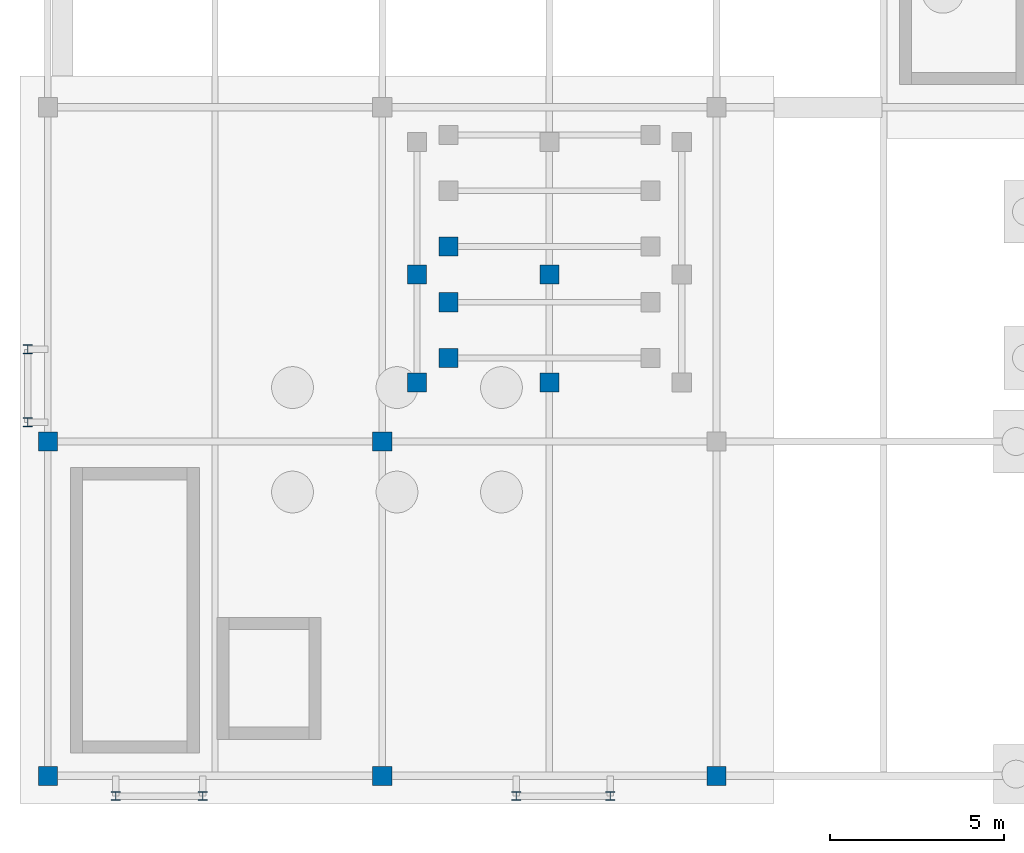
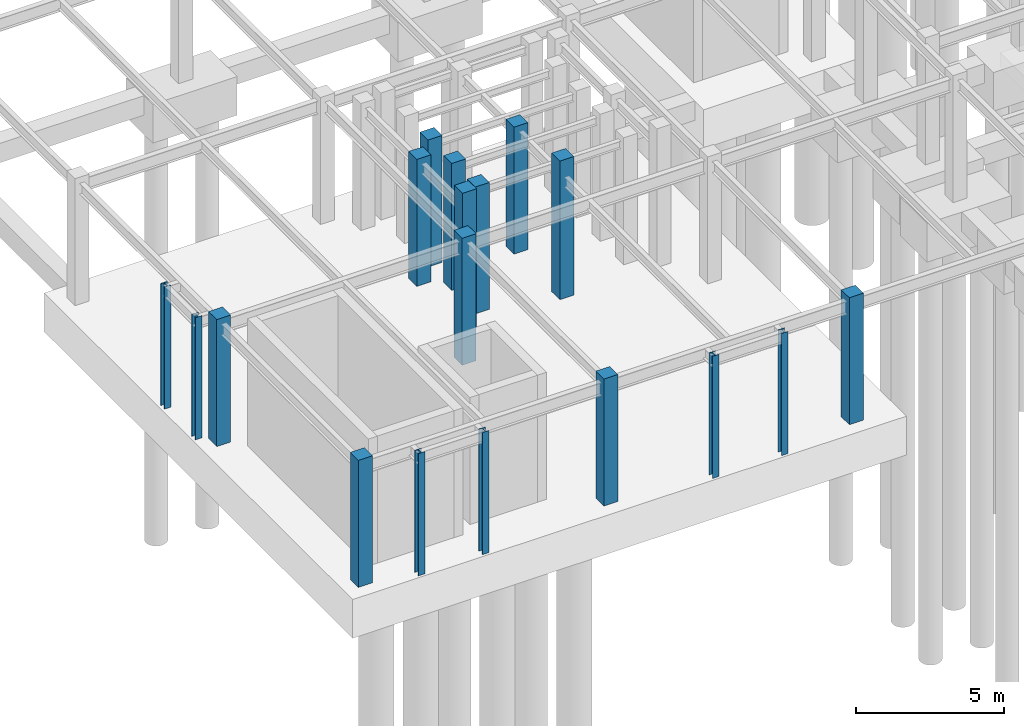
# One storey, part 8 of 55: 18 columns.
"""IFC4 building model written with IfcOpenShell, lengths in metres."""

from ifc_helpers import new_model, si_unit, direction, frame, origin, origin_2d, place, context, subcontext, project, spatial, rectangle, i_section, extrude, material, material_profile, profile_set, type_object, element, save


model = new_model("IFC4")

# Units and contexts
model_context = context("Model", 3, precision=1e-05, world=origin(), true_north=direction((0.0, 1.0)))
body_context = subcontext(model_context, "Body", "Model", "MODEL_VIEW")
ifc_project = project(units=[si_unit("LENGTHUNIT", "METRE"), si_unit("AREAUNIT", "SQUARE_METRE"), si_unit("VOLUMEUNIT", "CUBIC_METRE"), si_unit("PLANEANGLEUNIT", "RADIAN"), si_unit("MASSUNIT", "GRAM", prefix="KILO")], contexts=[model_context])

# Site, building, storey
site_placement = place(None, origin())
site = spatial("IfcSite", under=ifc_project, at=site_placement, CompositionType="ELEMENT")
building_placement = place(site_placement, origin())
building = spatial("IfcBuilding", under=site, at=building_placement, Name="Almandine Court Research Institute", CompositionType="ELEMENT")
storey_placement = place(building_placement, frame((0.0, 0.0, -5.25)))
storey = spatial("IfcBuildingStorey", under=building, at=storey_placement, Name="B1", CompositionType="ELEMENT", Elevation=-5.25)

# Columns
ifc_material_1 = material(Name="Concrete C40/50", Category="concrete")
ifc_material_profile_1 = material_profile(ifc_material_1, rectangle(XDim=0.550048828125, YDim=0.550048828125, at=origin_2d()), Name="RC 550x550")
ifc_profile_set_1 = profile_set([ifc_material_profile_1], Name="Concrete C40/50")
column_type_1 = type_object("IfcColumnType", Name="Col-C-RC3", PredefinedType="COLUMN", material=ifc_profile_set_1)
for number, where, z_axis, x_axis, name in (
    (1, (6.0, 6.0, 0.0), (0.0, 0.0, 1.0), (1.0, 0.0, 0.0), "B1 V1 Column V1-X1Y1"),
    (2, (6.0, 15.60009765625, 0.0), (0.0, 0.0, 1.0), (1.0, 0.0, 0.0), "B1 V1 Column V1-X1Y2"),
    (3, (15.60009765625, 6.0, 0.0), (0.0, 0.0, 1.0), (1.0, 0.0, 0.0), "B1 V1 Column V1-X2Y1"),
    (4, (15.60009765625, 15.60009765625, 0.0), (0.0, 0.0, 1.0), (1.0, 0.0, 0.0), "B1 V1 Column V1-X2Y2"),
    (5, (25.199951171875, 6.0, 0.0), (0.0, 0.0, 1.0), (1.0, 0.0, 0.0), "B1 V1 Column V1-X3Y1"),
):
    element("IfcColumn", number, at=place(storey_placement, frame(where, z_axis=z_axis, x_axis=x_axis)), inside=storey, type_object=column_type_1, Name=name, PredefinedType="COLUMN", context=body_context, shape_type="SweptSolid", body=[
        extrude(rectangle(XDim=0.550048828125, YDim=0.550048828125, at=origin_2d()), origin(), (0.0, 0.0, 1.0), 5.25),
    ])
column_1_placement = place(storey_placement, frame((16.60009765625, 17.300048828125, 0.0), z_axis=(0.0, 0.0, 1.0), x_axis=(1.0, 0.0, 0.0)))
element("IfcColumn", 6, at=column_1_placement, inside=storey, type_object=column_type_1, Name="B1 V1 Column V1RK1A", PredefinedType="COLUMN", context=body_context, shape_type="SweptSolid", body=[
    extrude(rectangle(XDim=0.550048828125, YDim=0.550048828125, at=origin_2d()), origin(), (0.0, 0.0, 1.0), 5.72998046875),
])
column_2_placement = place(storey_placement, frame((16.60009765625, 20.39990234375, 0.0), z_axis=(0.0, 0.0, 1.0), x_axis=(1.0, 0.0, 0.0)))
element("IfcColumn", 7, at=column_2_placement, inside=storey, type_object=column_type_1, Name="B1 V1 Column V1RK1B", PredefinedType="COLUMN", context=body_context, shape_type="SweptSolid", body=[
    extrude(rectangle(XDim=0.550048828125, YDim=0.550048828125, at=origin_2d()), origin(), (0.0, 0.0, 1.0), 5.25),
])
column_3_placement = place(storey_placement, frame((20.39990234375, 17.300048828125, 0.0), z_axis=(0.0, 0.0, 1.0), x_axis=(1.0, 0.0, 0.0)))
element("IfcColumn", 8, at=column_3_placement, inside=storey, type_object=column_type_1, Name="B1 V1 Column V1RK2A", PredefinedType="COLUMN", context=body_context, shape_type="SweptSolid", body=[
    extrude(rectangle(XDim=0.550048828125, YDim=0.550048828125, at=origin_2d()), origin(), (0.0, 0.0, 1.0), 5.72998046875),
])
for number, where, z_axis, x_axis, name in (
    (9, (20.39990234375, 20.39990234375, 0.0), (0.0, 0.0, 1.0), (1.0, 0.0, 0.0), "B1 V1 Column V1RK2B"),
    (10, (17.5, 18.0, 0.0), (0.0, 0.0, 1.0), (1.0, 0.0, 0.0), "B1 V1 Column V1TR2W"),
    (11, (17.5, 19.60009765625, 0.0), (0.0, 0.0, 1.0), (1.0, 0.0, 0.0), "B1 V1 Column V1TR3W"),
    (12, (17.5, 21.199951171875, 0.0), (0.0, 0.0, 1.0), (1.0, 0.0, 0.0), "B1 V1 Column V1TR4W"),
):
    element("IfcColumn", number, at=place(storey_placement, frame(where, z_axis=z_axis, x_axis=x_axis)), inside=storey, type_object=column_type_1, Name=name, PredefinedType="COLUMN", context=body_context, shape_type="SweptSolid", body=[
        extrude(rectangle(XDim=0.550048828125, YDim=0.550048828125, at=origin_2d()), origin(), (0.0, 0.0, 1.0), 5.25),
    ])
ifc_material_2 = material(Name="Steel ASTM A992 Grade 50", Category="steel")
ifc_material_profile_2 = material_profile(ifc_material_2, i_section(OverallWidth=0.25390625, OverallDepth=0.2529296875, WebThickness=0.009033203125, FlangeThickness=0.013916015625, at=origin_2d()), Name="W250x73")
ifc_profile_set_2 = profile_set([ifc_material_profile_2], Name="Steel ASTM A992 Grade 50")
column_type_2 = type_object("IfcColumnType", Name="Col-C-W10", PredefinedType="COLUMN", material=ifc_profile_set_2)
for number, where, z_axis, x_axis, name in (
    (13, (7.949951171875, 5.419921875, 0.0), (0.0, 0.0, 1.0), (1.0, 0.0, 0.0), "B1 Exterior Threshold Support Column PAD-V1-S1-C1"),
    (14, (10.449951171875, 5.419921875, 0.0), (0.0, 0.0, 1.0), (1.0, 0.0, 0.0), "B1 Exterior Threshold Support Column PAD-V1-S1-C2"),
    (15, (5.419921875, 16.14990234375, 0.0), (0.0, 0.0, 1.0), (1.0, 0.0, 0.0), "B1 Exterior Threshold Support Column PAD-V1-W2-C1"),
    (16, (5.419921875, 18.25, 0.0), (0.0, 0.0, 1.0), (1.0, 0.0, 0.0), "B1 Exterior Threshold Support Column PAD-V1-W2-C2"),
    (17, (19.449951171875, 5.419921875, 0.0), (0.0, 0.0, 1.0), (1.0, 0.0, 0.0), "B1 Exterior Threshold Support Column PAD-V1-S2-C1"),
    (18, (22.14990234375, 5.419921875, 0.0), (0.0, 0.0, 1.0), (1.0, 0.0, 0.0), "B1 Exterior Threshold Support Column PAD-V1-S2-C2"),
):
    element("IfcColumn", number, at=place(storey_placement, frame(where, z_axis=z_axis, x_axis=x_axis)), inside=storey, type_object=column_type_2, Name=name, PredefinedType="COLUMN", context=body_context, shape_type="SweptSolid", body=[
        extrude(i_section(OverallWidth=0.25390625, OverallDepth=0.2529296875, WebThickness=0.009033203125, FlangeThickness=0.013916015625, at=origin_2d()), origin(), (0.0, 0.0, 1.0), 5.050048828125),
    ])

save(model, "model.ifc")
